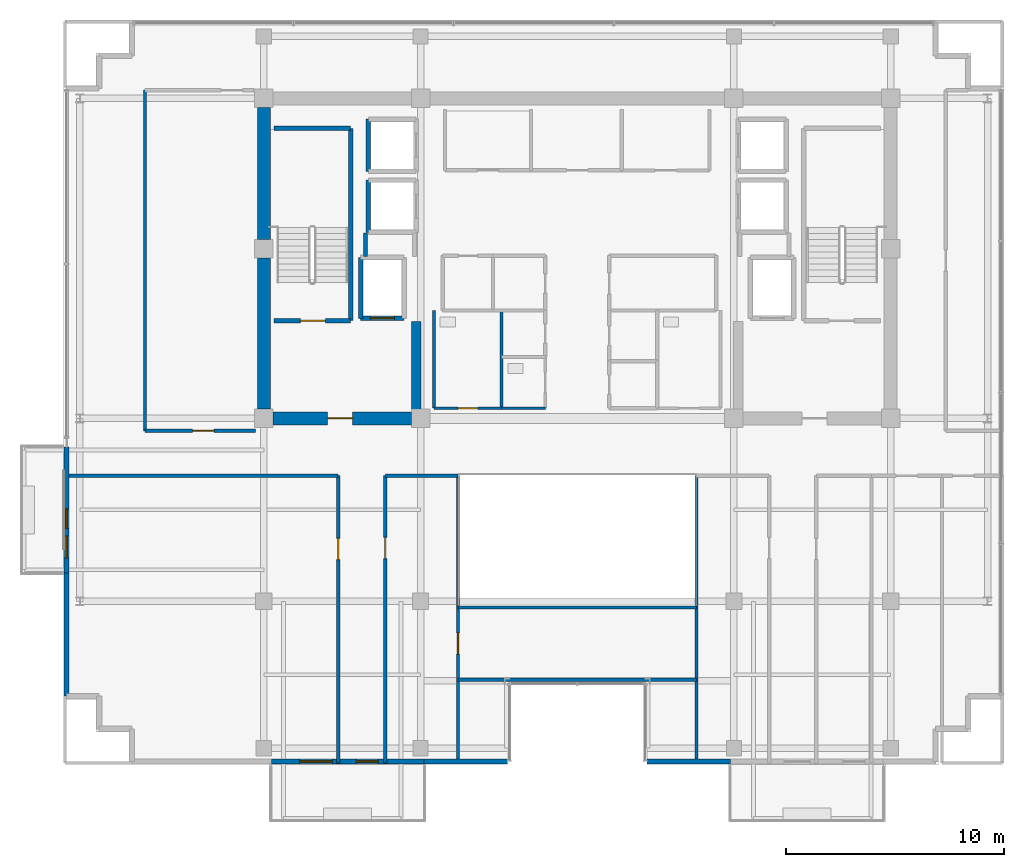
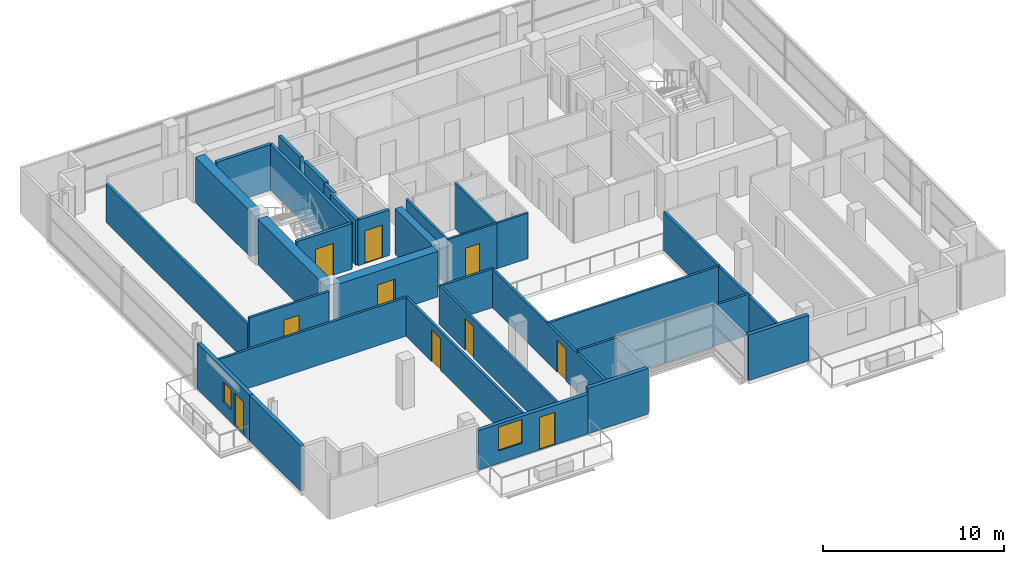
# One storey, part 15 of 22: 31 walls, 10 doors, 2 windows, 12 openings.
"""IFC4 building model written with IfcOpenShell, lengths in metres."""

from ifc_helpers import new_model, si_unit, direction, frame, frame_2d, origin, place, context, subcontext, project, spatial, rectangle, extrude, source, transform, mapped, material, layer, layer_set, type_object, element, fill, save


model = new_model("IFC4")

# Units and contexts
model_context = context("Model", 3, precision=1e-05, world=origin(), true_north=direction((0.0, 1.0)))
body_context = subcontext(model_context, "Body", "Model", "MODEL_VIEW")
ifc_project = project(units=[si_unit("LENGTHUNIT", "METRE"), si_unit("AREAUNIT", "SQUARE_METRE"), si_unit("VOLUMEUNIT", "CUBIC_METRE"), si_unit("PLANEANGLEUNIT", "RADIAN"), si_unit("MASSUNIT", "GRAM", prefix="KILO")], contexts=[model_context])

# Site, building, storey
site_placement = place(None, origin())
site = spatial("IfcSite", under=ifc_project, at=site_placement, CompositionType="ELEMENT")
building_placement = place(site_placement, origin())
building = spatial("IfcBuilding", under=site, at=building_placement, Name="Zarnakvel Exchange Tower", CompositionType="ELEMENT")
storey_placement = place(building_placement, frame((0.0, 0.0, 222.10009765625)))
storey = spatial("IfcBuildingStorey", under=building, at=storey_placement, Name="L62", CompositionType="ELEMENT", Elevation=222.10009765625)

# Walls
ifc_material_1 = material(Name="Concrete C50/60", Category="concrete")
ifc_layer_1 = layer(ifc_material_1, 0.60009765625)
ifc_layer_set_1 = layer_set([ifc_layer_1], Name="Concrete C50/60")
wall_type_1 = type_object("IfcWallType", Name="CW-C5", PredefinedType="SHEAR", material=ifc_layer_set_1)
wall_1_placement = place(storey_placement, frame((-14.39990234375, -0.77490234375, 0.0), z_axis=(0.0, 0.0, 1.0), x_axis=(0.0, 1.0, 0.0)))
element("IfcWall", 1, at=wall_1_placement, inside=storey, type_object=wall_type_1, Name="L62 Rear Core Shear Wall W1 (CW-C5)", PredefinedType="SHEAR", context=body_context, shape_type="SweptSolid", body=[
    extrude(rectangle(XDim=6.949951171875, YDim=0.60009765625, at=frame_2d((3.47509765625, 0.0))), origin(), (0.0, 0.0, 1.0), 3.074951171875),
])
wall_2_placement = place(storey_placement, frame((-14.39990234375, 7.02490234375, 0.0), z_axis=(0.0, 0.0, 1.0), x_axis=(0.0, 1.0, 0.0)))
element("IfcWall", 2, at=wall_2_placement, inside=storey, type_object=wall_type_1, Name="L62 Rear Core Shear Wall W2 (CW-C5)", PredefinedType="SHEAR", context=body_context, shape_type="SweptSolid", body=[
    extrude(rectangle(XDim=6.050048828125, YDim=0.60009765625, at=frame_2d((3.02490234375, 0.0))), origin(), (0.0, 0.0, 1.0), 3.074951171875),
])

# Wall, opening, door
wall_3_placement = place(storey_placement, frame((-7.625, -1.199951171875, 0.0), z_axis=(0.0, 0.0, 1.0), x_axis=(-1.0, 0.0, 0.0)))
wall_3 = element("IfcWall", 3, at=wall_3_placement, inside=storey, type_object=wall_type_1, Name="L62 Rear Core Shear Wall SW (CW-C5)", PredefinedType="SHEAR", context=body_context, shape_type="SweptSolid", body=[
    extrude(rectangle(XDim=6.35009765625, YDim=0.60009765625, at=frame_2d((3.175048828125, 0.0))), origin(), (0.0, 0.0, 1.0), 3.074951171875),
])
opening_1_placement = place(wall_3_placement, frame((2.699951171875, 0.0, 0.0)))
opening_1 = element("IfcOpeningElement", 4, at=opening_1_placement, cuts=wall_3, Name="Opening D-L62-03", PredefinedType="OPENING", context=body_context, shape_type="SweptSolid", body=[
    extrude(rectangle(XDim=1.14990234375, YDim=2.14990234375, at=frame_2d((0.574951171875, 1.074951171875))), frame((0.0, 0.31005859375, 0.0), z_axis=(0.0, -1.0, 0.0), x_axis=(1.0, 0.0, 0.0)), (0.0, 0.0, 1.0), 0.6201171875),
])
ifc_material_2 = material(Name="Painted Galvanised Steel S355", Category="steel")
door_type_1 = type_object("IfcDoorType", Name="DT-04", OperationType="NOTDEFINED", PredefinedType="DOOR", material=ifc_material_2)
shared_shape_1 = source(origin(), body_context, "Body", "SweptSolid", [
    extrude(rectangle(XDim=1.14990234375, YDim=2.14990234375, at=frame_2d((0.574951171875, 1.074951171875))), frame((0.0, 0.02490234375, 0.0), z_axis=(0.0, -1.0, 0.0), x_axis=(1.0, 0.0, 0.0)), (0.0, 0.0, 1.0), 0.050048828125),
])
door_1_placement = place(opening_1_placement, origin())
door_1 = element("IfcDoor", 5, at=door_1_placement, inside=storey, type_object=door_type_1, Name="L62 Firefighting Lobby West Door D-L62-03", OperationType="SINGLE_SWING_LEFT", OverallHeight=2.14990234375, OverallWidth=1.14990234375, PredefinedType="DOOR", context=body_context, shape_type="MappedRepresentation", body=[
    mapped(shared_shape_1, transform((0.0, 0.0, 0.0), x_axis=(1.0, 0.0, 0.0), y_axis=(0.0, 1.0, 0.0), z_axis=(0.0, 0.0, 1.0), scale=1.0)),
])
fill(opening_1, door_1)

# Wall
ifc_layer_2 = layer(ifc_material_1, 0.449951171875)
ifc_layer_set_2 = layer_set([ifc_layer_2], Name="Concrete C50/60")
wall_type_2 = type_object("IfcWallType", Name="CW-C6", PredefinedType="SHEAR", material=ifc_layer_set_2)
wall_4_placement = place(storey_placement, frame((-7.39990234375, -0.89990234375, 0.0), z_axis=(0.0, 0.0, 1.0), x_axis=(0.0, 1.0, 0.0)))
element("IfcWall", 6, at=wall_4_placement, inside=storey, type_object=wall_type_2, Name="L62 Rear Core Shear Wall IW (CW-C6)", PredefinedType="SHEAR", context=body_context, shape_type="SweptSolid", body=[
    extrude(rectangle(XDim=4.14990234375, YDim=0.449951171875, at=frame_2d((2.074951171875, 0.0))), origin(), (0.0, 0.0, 1.0), 3.074951171875),
])

# Wall, openings, door, window
ifc_material_3 = material(Name="Precast concrete C40/50", Category="concrete")
ifc_layer_3 = layer(ifc_material_3, 0.239990234375)
ifc_layer_set_3 = layer_set([ifc_layer_3], Name="Precast concrete C40/50")
wall_type_3 = type_object("IfcWallType", Name="EW-02", PredefinedType="SOLIDWALL", material=ifc_layer_set_3)
wall_5_placement = place(storey_placement, frame((-7.050048828125, -16.9599609375, 0.0), z_axis=(0.0, 0.0, 1.0), x_axis=(-1.0, 0.0, 0.0)))
wall_5 = element("IfcWall", 7, at=wall_5_placement, inside=storey, type_object=wall_type_3, Name="L62 Exterior Precast Spandrel Wall EW-BAL-L62-SW (EW-02)", PredefinedType="SOLIDWALL", context=body_context, shape_type="SweptSolid", body=[
    extrude(rectangle(XDim=7.0, YDim=0.239990234375, at=frame_2d((3.5, 0.0))), origin(), (0.0, 0.0, 1.0), 2.664794921875),
])
opening_2_placement = place(wall_5_placement, frame((2.10009765625, 0.0, 0.0)))
opening_2 = element("IfcOpeningElement", 8, at=opening_2_placement, cuts=wall_5, Name="Opening BD-L62-01", PredefinedType="OPENING", context=body_context, shape_type="SweptSolid", body=[
    extrude(rectangle(XDim=1.0, YDim=2.199951171875, at=frame_2d((0.5, 1.10009765625))), frame((0.0, 0.1298828125, 0.0), z_axis=(0.0, -1.0, 0.0), x_axis=(1.0, 0.0, 0.0)), (0.0, 0.0, 1.0), 0.260009765625),
])
opening_3_placement = place(wall_5_placement, frame((4.199951171875, 0.0, 0.85009765625)))
opening_3 = element("IfcOpeningElement", 9, at=opening_3_placement, cuts=wall_5, Name="Opening WN-03", PredefinedType="OPENING", context=body_context, shape_type="SweptSolid", body=[
    extrude(rectangle(XDim=1.5, YDim=1.60009765625, at=frame_2d((0.75, 0.800048828125))), frame((0.0, 0.1298828125, 0.0), z_axis=(0.0, -1.0, 0.0), x_axis=(1.0, 0.0, 0.0)), (0.0, 0.0, 1.0), 0.260009765625),
])
ifc_material_4 = material(Name="Architectural Bronze Anodised Aluminium", Category="aluminium")
door_type_2 = type_object("IfcDoorType", Name="DT-09", OperationType="NOTDEFINED", PredefinedType="DOOR", material=ifc_material_4)
shared_shape_2 = source(origin(), body_context, "Body", "SweptSolid", [
    extrude(rectangle(XDim=1.0, YDim=2.199951171875, at=frame_2d((0.5, 1.10009765625))), frame((0.0, 0.02490234375, 0.0), z_axis=(0.0, -1.0, 0.0), x_axis=(1.0, 0.0, 0.0)), (0.0, 0.0, 1.0), 0.050048828125),
])
door_2_placement = place(opening_2_placement, origin())
door_2 = element("IfcDoor", 10, at=door_2_placement, inside=storey, type_object=door_type_2, Name="L62 Planted Loggia Balcony Door BD-L62-01", OperationType="SINGLE_SWING_RIGHT", OverallHeight=2.199951171875, OverallWidth=1.0, PredefinedType="DOOR", context=body_context, shape_type="MappedRepresentation", body=[
    mapped(shared_shape_2, transform((0.0, 0.0, 0.0), x_axis=(1.0, 0.0, 0.0), y_axis=(0.0, 1.0, 0.0), z_axis=(0.0, 0.0, 1.0), scale=1.0)),
])
fill(opening_2, door_2)
ifc_material_5 = material(Name="Double Low-E Laminated Vision Glass", Category="glass")
window_type_1 = type_object("IfcWindowType", Name="WN-03", PartitioningType="SINGLE_PANEL", PredefinedType="WINDOW", material=ifc_material_5)
shared_shape_3 = source(origin(), body_context, "Body", "SweptSolid", [
    extrude(rectangle(XDim=1.5, YDim=1.60009765625, at=frame_2d((0.75, 0.800048828125))), frame((0.0, 0.030029296875, 0.0), z_axis=(0.0, -1.0, 0.0), x_axis=(1.0, 0.0, 0.0)), (0.0, 0.0, 1.0), 0.06005859375),
])
window_1_placement = place(opening_3_placement, origin())
window_1 = element("IfcWindow", 11, at=window_1_placement, inside=storey, type_object=window_type_1, Name="L62 Loggia Daylight Window (WN-03)", OverallHeight=1.60009765625, OverallWidth=1.5, PartitioningType="SINGLE_PANEL", PredefinedType="WINDOW", context=body_context, shape_type="MappedRepresentation", body=[
    mapped(shared_shape_3, transform((0.0, 0.0, 0.0), x_axis=(1.0, 0.0, 0.0), y_axis=(0.0, 1.0, 0.0), z_axis=(0.0, 0.0, 1.0), scale=1.0)),
])
fill(opening_3, window_1)

wall_6_placement = place(storey_placement, frame((-23.4599609375, -8.300048828125, 0.0), z_axis=(0.0, 0.0, 1.0), x_axis=(0.0, 1.0, 0.0)))
wall_6 = element("IfcWall", 12, at=wall_6_placement, inside=storey, type_object=wall_type_3, Name="L62 Exterior Precast Spandrel Wall EW-BAL-L62-W (EW-02)", PredefinedType="SOLIDWALL", context=body_context, shape_type="SweptSolid", body=[
    extrude(rectangle(XDim=5.800048828125, YDim=0.239990234375, at=frame_2d((2.89990234375, 0.0))), origin(), (0.0, 0.0, 1.0), 3.074951171875),
])
opening_4_placement = place(wall_6_placement, frame((0.696044921875, 0.0, 0.0)))
opening_4 = element("IfcOpeningElement", 13, at=opening_4_placement, cuts=wall_6, Name="Opening BD-L62-03", PredefinedType="OPENING", context=body_context, shape_type="SweptSolid", body=[
    extrude(rectangle(XDim=1.0, YDim=2.199951171875, at=frame_2d((0.5, 1.10009765625))), frame((0.0, 0.1298828125, 0.0), z_axis=(0.0, -1.0, 0.0), x_axis=(1.0, 0.0, 0.0)), (0.0, 0.0, 1.0), 0.260009765625),
])
opening_5_placement = place(wall_6_placement, frame((2.0458984375, 0.0, 0.85009765625)))
opening_5 = element("IfcOpeningElement", 14, at=opening_5_placement, cuts=wall_6, Name="Opening WN-06", PredefinedType="OPENING", context=body_context, shape_type="SweptSolid", body=[
    extrude(rectangle(XDim=0.89990234375, YDim=1.35009765625, at=frame_2d((0.449951171875, 0.675048828125))), frame((0.0, 0.1298828125, 0.0), z_axis=(0.0, -1.0, 0.0), x_axis=(1.0, 0.0, 0.0)), (0.0, 0.0, 1.0), 0.260009765625),
])
door_3_placement = place(opening_4_placement, origin())
door_3 = element("IfcDoor", 15, at=door_3_placement, inside=storey, type_object=door_type_2, Name="L62 Planted Loggia Balcony Door BD-L62-03", OperationType="SINGLE_SWING_RIGHT", OverallHeight=2.199951171875, OverallWidth=1.0, PredefinedType="DOOR", context=body_context, shape_type="MappedRepresentation", body=[
    mapped(shared_shape_2, transform((0.0, 0.0, 0.0), x_axis=(1.0, 0.0, 0.0), y_axis=(0.0, 1.0, 0.0), z_axis=(0.0, 0.0, 1.0), scale=1.0)),
])
fill(opening_4, door_3)
window_type_2 = type_object("IfcWindowType", Name="WN-06", PartitioningType="SINGLE_PANEL", PredefinedType="WINDOW", material=ifc_material_5)
shared_shape_4 = source(origin(), body_context, "Body", "SweptSolid", [
    extrude(rectangle(XDim=0.89990234375, YDim=1.35009765625, at=frame_2d((0.449951171875, 0.675048828125))), frame((0.0, 0.030029296875, 0.0), z_axis=(0.0, -1.0, 0.0), x_axis=(1.0, 0.0, 0.0)), (0.0, 0.0, 1.0), 0.06005859375),
])
window_2_placement = place(opening_5_placement, origin())
window_2 = element("IfcWindow", 16, at=window_2_placement, inside=storey, type_object=window_type_2, Name="L62 Loggia Daylight Window (WN-06)", OverallHeight=1.35009765625, OverallWidth=0.89990234375, PartitioningType="SINGLE_PANEL", PredefinedType="WINDOW", context=body_context, shape_type="MappedRepresentation", body=[
    mapped(shared_shape_4, transform((0.0, 0.0, 0.0), x_axis=(1.0, 0.0, 0.0), y_axis=(0.0, 1.0, 0.0), z_axis=(0.0, 0.0, 1.0), scale=1.0)),
])
fill(opening_5, window_2)

# Walls
wall_7_placement = place(storey_placement, frame((-23.4599609375, -8.300048828125, 0.0), z_axis=(0.0, 0.0, 1.0), x_axis=(0.0, -1.0, 0.0)))
element("IfcWall", 17, at=wall_7_placement, inside=storey, type_object=wall_type_3, Name="L62 Exterior Precast Spandrel Wall EWC-L62-01 (EW-02)", PredefinedType="SOLIDWALL", context=body_context, shape_type="SweptSolid", body=[
    extrude(rectangle(XDim=5.659912109375, YDim=0.239990234375, at=frame_2d((2.830078125, 0.0))), origin(), (0.0, 0.0, 1.0), 3.074951171875),
])
for number, where, z_axis, x_axis, name in (
    (18, (3.199951171875, -16.9599609375, 0.0), (0.0, 0.0, 1.0), (1.0, 0.0, 0.0), "L62 Exterior Precast Spandrel Wall EWC-L62-16 (EW-02)"),
    (19, (-7.050048828125, -16.9599609375, 0.0), (0.0, 0.0, 1.0), (1.0, 0.0, 0.0), "L62 Exterior Precast Spandrel Wall EWC-L62-21 (EW-02)"),
):
    element("IfcWall", number, at=place(storey_placement, frame(where, z_axis=z_axis, x_axis=x_axis)), inside=storey, type_object=wall_type_3, Name=name, PredefinedType="SOLIDWALL", context=body_context, shape_type="SweptSolid", body=[
        extrude(rectangle(XDim=3.85009765625, YDim=0.239990234375, at=frame_2d((1.925048828125, 0.0))), origin(), (0.0, 0.0, 1.0), 3.074951171875),
    ])
ifc_material_6 = material(Name="Fire-Rated Gypsum Stud Partition", Category="gypsum")
ifc_layer_4 = layer(ifc_material_6, 0.14990234375)
ifc_layer_set_4 = layer_set([ifc_layer_4], Name="Fire-Rated Gypsum Stud Partition")
wall_type_4 = type_object("IfcWallType", Name="PT-01", PredefinedType="PARTITIONING", material=ifc_layer_set_4)
wall_8_placement = place(storey_placement, frame((-23.530029296875, -3.830078125, 0.0), z_axis=(0.0, 0.0, 1.0), x_axis=(1.0, 0.0, 0.0)))
element("IfcWall", 20, at=wall_8_placement, inside=storey, type_object=wall_type_4, Name="L62 Partition Wall PWALL-L62-045 (PT-01)", PredefinedType="PARTITIONING", context=body_context, shape_type="SweptSolid", body=[
    extrude(rectangle(XDim=12.550048828125, YDim=0.14990234375, at=frame_2d((6.27490234375, 0.0))), origin(), (0.0, 0.0, 1.0), 2.614990234375),
])

# Wall, opening, door
wall_9_placement = place(storey_placement, frame((-10.97998046875, -3.830078125, 0.0), z_axis=(0.0, 0.0, 1.0), x_axis=(0.0, -1.0, 0.0)))
wall_9 = element("IfcWall", 21, at=wall_9_placement, inside=storey, type_object=wall_type_4, Name="L62 Partition Wall PWALL-L62-047 (PT-01)", PredefinedType="PARTITIONING", context=body_context, shape_type="SweptSolid", body=[
    extrude(rectangle(XDim=13.199951171875, YDim=0.14990234375, at=frame_2d((6.60009765625, 0.0))), origin(), (0.0, 0.0, 1.0), 2.614990234375),
])
opening_6_placement = place(wall_9_placement, frame((2.8798828125, 0.0, 0.0)))
opening_6 = element("IfcOpeningElement", 22, at=opening_6_placement, cuts=wall_9, Name="Opening D-L62-17", PredefinedType="OPENING", context=body_context, shape_type="SweptSolid", body=[
    extrude(rectangle(XDim=0.97998046875, YDim=2.14990234375, at=frame_2d((0.489990234375, 1.074951171875))), frame((0.0, 0.0849609375, 0.0), z_axis=(0.0, -1.0, 0.0), x_axis=(1.0, 0.0, 0.0)), (0.0, 0.0, 1.0), 0.169921875),
])
ifc_material_7 = material(Name="Timber Acoustic Veneer", Category="wood")
door_type_3 = type_object("IfcDoorType", Name="DT-05", OperationType="NOTDEFINED", PredefinedType="DOOR", material=ifc_material_7)
shared_shape_5 = source(origin(), body_context, "Body", "SweptSolid", [
    extrude(rectangle(XDim=0.97998046875, YDim=2.14990234375, at=frame_2d((0.489990234375, 1.074951171875))), frame((0.0, 0.02490234375, 0.0), z_axis=(0.0, -1.0, 0.0), x_axis=(1.0, 0.0, 0.0)), (0.0, 0.0, 1.0), 0.050048828125),
])
door_4_placement = place(opening_6_placement, origin())
door_4 = element("IfcDoor", 23, at=door_4_placement, inside=storey, type_object=door_type_3, Name="L62 Derivatives Trading Hall Door D-L62-17", OperationType="SINGLE_SWING_LEFT", OverallHeight=2.14990234375, OverallWidth=0.97998046875, PredefinedType="DOOR", context=body_context, shape_type="MappedRepresentation", body=[
    mapped(shared_shape_5, transform((0.0, 0.0, 0.0), x_axis=(1.0, 0.0, 0.0), y_axis=(0.0, 1.0, 0.0), z_axis=(0.0, 0.0, 1.0), scale=1.0)),
])
fill(opening_6, door_4)

# Wall
wall_10_placement = place(storey_placement, frame((-8.820068359375, -3.830078125, 0.0), z_axis=(0.0, 0.0, 1.0), x_axis=(1.0, 0.0, 0.0)))
element("IfcWall", 24, at=wall_10_placement, inside=storey, type_object=wall_type_4, Name="L62 Partition Wall PWALL-L62-059 (PT-01)", PredefinedType="PARTITIONING", context=body_context, shape_type="SweptSolid", body=[
    extrude(rectangle(XDim=3.340087890625, YDim=0.14990234375, at=frame_2d((1.669921875, 0.0))), origin(), (0.0, 0.0, 1.0), 2.614990234375),
])

# Wall, opening, door
wall_11_placement = place(storey_placement, frame((-8.820068359375, -17.030029296875, 0.0), z_axis=(0.0, 0.0, 1.0), x_axis=(0.0, 1.0, 0.0)))
wall_11 = element("IfcWall", 25, at=wall_11_placement, inside=storey, type_object=wall_type_4, Name="L62 Partition Wall PWALL-L62-060 (PT-01)", PredefinedType="PARTITIONING", context=body_context, shape_type="SweptSolid", body=[
    extrude(rectangle(XDim=13.199951171875, YDim=0.14990234375, at=frame_2d((6.60009765625, 0.0))), origin(), (0.0, 0.0, 1.0), 2.614990234375),
])
opening_7_placement = place(wall_11_placement, frame((9.385009765625, 0.0, 0.0)))
opening_7 = element("IfcOpeningElement", 26, at=opening_7_placement, cuts=wall_11, Name="Opening D-L62-21", PredefinedType="OPENING", context=body_context, shape_type="SweptSolid", body=[
    extrude(rectangle(XDim=0.97998046875, YDim=2.14990234375, at=frame_2d((0.489990234375, 1.074951171875))), frame((0.0, 0.0849609375, 0.0), z_axis=(0.0, -1.0, 0.0), x_axis=(1.0, 0.0, 0.0)), (0.0, 0.0, 1.0), 0.169921875),
])
door_5_placement = place(opening_7_placement, origin())
door_5 = element("IfcDoor", 27, at=door_5_placement, inside=storey, type_object=door_type_3, Name="L62 Staff Pantry Door D-L62-21", OperationType="SINGLE_SWING_LEFT", OverallHeight=2.14990234375, OverallWidth=0.97998046875, PredefinedType="DOOR", context=body_context, shape_type="MappedRepresentation", body=[
    mapped(shared_shape_5, transform((0.0, 0.0, 0.0), x_axis=(1.0, 0.0, 0.0), y_axis=(0.0, 1.0, 0.0), z_axis=(0.0, 0.0, 1.0), scale=1.0)),
])
fill(opening_7, door_5)

wall_12_placement = place(storey_placement, frame((-5.47998046875, -3.830078125, 0.0), z_axis=(0.0, 0.0, 1.0), x_axis=(0.0, -1.0, 0.0)))
wall_12 = element("IfcWall", 28, at=wall_12_placement, inside=storey, type_object=wall_type_4, Name="L62 Partition Wall PWALL-L62-061 (PT-01)", PredefinedType="PARTITIONING", context=body_context, shape_type="SweptSolid", body=[
    extrude(rectangle(XDim=13.199951171875, YDim=0.14990234375, at=frame_2d((6.60009765625, 0.0))), origin(), (0.0, 0.0, 1.0), 2.614990234375),
])
opening_8_placement = place(wall_12_placement, frame((7.219970703125, 0.0, 0.0)))
opening_8 = element("IfcOpeningElement", 29, at=opening_8_placement, cuts=wall_12, Name="Opening D-L62-23", PredefinedType="OPENING", context=body_context, shape_type="SweptSolid", body=[
    extrude(rectangle(XDim=0.97998046875, YDim=2.14990234375, at=frame_2d((0.489990234375, 1.074951171875))), frame((0.0, 0.0849609375, 0.0), z_axis=(0.0, -1.0, 0.0), x_axis=(1.0, 0.0, 0.0)), (0.0, 0.0, 1.0), 0.169921875),
])
door_6_placement = place(opening_8_placement, origin())
door_6 = element("IfcDoor", 30, at=door_6_placement, inside=storey, type_object=door_type_3, Name="L62 Client Lounge Door D-L62-23", OperationType="SINGLE_SWING_LEFT", OverallHeight=2.14990234375, OverallWidth=0.97998046875, PredefinedType="DOOR", context=body_context, shape_type="MappedRepresentation", body=[
    mapped(shared_shape_5, transform((0.0, 0.0, 0.0), x_axis=(1.0, 0.0, 0.0), y_axis=(0.0, 1.0, 0.0), z_axis=(0.0, 0.0, 1.0), scale=1.0)),
])
fill(opening_8, door_6)

# Walls
wall_13_placement = place(storey_placement, frame((5.47998046875, -17.030029296875, 0.0), z_axis=(0.0, 0.0, 1.0), x_axis=(0.0, 1.0, 0.0)))
element("IfcWall", 31, at=wall_13_placement, inside=storey, type_object=wall_type_4, Name="L62 Partition Wall PWALL-L62-064 (PT-01)", PredefinedType="PARTITIONING", context=body_context, shape_type="SweptSolid", body=[
    extrude(rectangle(XDim=13.199951171875, YDim=0.14990234375, at=frame_2d((6.60009765625, 0.0))), origin(), (0.0, 0.0, 1.0), 2.614990234375),
])
wall_14_placement = place(storey_placement, frame((5.47998046875, -13.199951171875, 0.0), z_axis=(0.0, 0.0, 1.0), x_axis=(-1.0, 0.0, 0.0)))
element("IfcWall", 32, at=wall_14_placement, inside=storey, type_object=wall_type_4, Name="L62 Partition Wall PWALL-L62-066 (PT-01)", PredefinedType="PARTITIONING", context=body_context, shape_type="SweptSolid", body=[
    extrude(rectangle(XDim=10.9599609375, YDim=0.14990234375, at=frame_2d((5.47998046875, 0.0))), origin(), (0.0, 0.0, 1.0), 2.764892578125),
])
wall_15_placement = place(storey_placement, frame((-5.47998046875, -9.8798828125, 0.0), z_axis=(0.0, 0.0, 1.0), x_axis=(1.0, 0.0, 0.0)))
element("IfcWall", 33, at=wall_15_placement, inside=storey, type_object=wall_type_4, Name="L62 Partition Wall PWALL-L62-067 (PT-01)", PredefinedType="PARTITIONING", context=body_context, shape_type="SweptSolid", body=[
    extrude(rectangle(XDim=10.9599609375, YDim=0.14990234375, at=frame_2d((5.47998046875, 0.0))), origin(), (0.0, 0.0, 1.0), 2.614990234375),
])

# Wall, opening, door
wall_16_placement = place(storey_placement, frame((-14.77001953125, -1.77001953125, 0.0), z_axis=(0.0, 0.0, 1.0), x_axis=(-1.0, 0.0, 0.0)))
wall_16 = element("IfcWall", 34, at=wall_16_placement, inside=storey, type_object=wall_type_4, Name="L62 Partition Wall PWALL-L62-068 (PT-01)", PredefinedType="PARTITIONING", context=body_context, shape_type="SweptSolid", body=[
    extrude(rectangle(XDim=5.083251953125, YDim=0.14990234375, at=frame_2d((2.54150390625, 0.0))), origin(), (0.0, 0.0, 1.0), 3.074951171875),
])
opening_9_placement = place(wall_16_placement, frame((1.9150390625, 0.0, 0.0)))
opening_9 = element("IfcOpeningElement", 35, at=opening_9_placement, cuts=wall_16, Name="Opening D-L62-24", PredefinedType="OPENING", context=body_context, shape_type="SweptSolid", body=[
    extrude(rectangle(XDim=0.97998046875, YDim=2.14990234375, at=frame_2d((0.489990234375, 1.074951171875))), frame((0.0, 0.0849609375, 0.0), z_axis=(0.0, -1.0, 0.0), x_axis=(1.0, 0.0, 0.0)), (0.0, 0.0, 1.0), 0.169921875),
])
door_7_placement = place(opening_9_placement, origin())
door_7 = element("IfcDoor", 36, at=door_7_placement, inside=storey, type_object=door_type_3, Name="L62 Staff Pantry Door D-L62-24", OperationType="SINGLE_SWING_RIGHT", OverallHeight=2.14990234375, OverallWidth=0.97998046875, PredefinedType="DOOR", context=body_context, shape_type="MappedRepresentation", body=[
    mapped(shared_shape_5, transform((0.0, 0.0, 0.0), x_axis=(1.0, 0.0, 0.0), y_axis=(0.0, 1.0, 0.0), z_axis=(0.0, 0.0, 1.0), scale=1.0)),
])
fill(opening_9, door_7)

# Walls
wall_17_placement = place(storey_placement, frame((-19.853271484375, -1.77001953125, 0.0), z_axis=(0.0, 0.0, 1.0), x_axis=(0.0, 1.0, 0.0)))
element("IfcWall", 37, at=wall_17_placement, inside=storey, type_object=wall_type_4, Name="L62 Partition Wall PWALL-L62-070 (PT-01)", PredefinedType="PARTITIONING", context=body_context, shape_type="SweptSolid", body=[
    extrude(rectangle(XDim=15.64990234375, YDim=0.14990234375, at=frame_2d((7.824951171875, 0.0))), origin(), (0.0, 0.0, 1.0), 2.614990234375),
])
ifc_layer_5 = layer(ifc_material_6, 0.179931640625)
ifc_layer_set_5 = layer_set([ifc_layer_5], Name="Fire-Rated Gypsum Stud Partition")
wall_type_5 = type_object("IfcWallType", Name="PT-02", PredefinedType="PARTITIONING", material=ifc_layer_set_5)
wall_18_placement = place(storey_placement, frame((-9.72998046875, 6.239990234375, 0.0), z_axis=(0.0, 0.0, 1.0), x_axis=(0.0, 1.0, 0.0)))
element("IfcWall", 38, at=wall_18_placement, inside=storey, type_object=wall_type_5, Name="L62 Partition Wall PWALL-L62-007 (PT-02)", PredefinedType="PARTITIONING", context=body_context, shape_type="SweptSolid", body=[
    extrude(rectangle(XDim=1.090087890625, YDim=0.179931640625, at=frame_2d((0.544921875, 0.0))), origin(), (0.0, 0.0, 1.0), 3.074951171875),
])

# Wall, opening, door
ifc_material_8 = material(Name="Moisture-Resistant Tile-Faced Partition", Category="gypsum")
ifc_layer_6 = layer(ifc_material_8, 0.135009765625)
ifc_layer_set_6 = layer_set([ifc_layer_6], Name="Moisture-Resistant Tile-Faced Partition")
wall_type_6 = type_object("IfcWallType", Name="PT-03", PredefinedType="PARTITIONING", material=ifc_layer_set_6)
wall_19_placement = place(storey_placement, frame((-3.469970703125, -0.72998046875, 0.0), z_axis=(0.0, 0.0, 1.0), x_axis=(-1.0, 0.0, 0.0)))
wall_19 = element("IfcWall", 39, at=wall_19_placement, inside=storey, type_object=wall_type_6, Name="L62 Partition Wall PWALL-L62-029 (PT-03)", PredefinedType="PARTITIONING", context=body_context, shape_type="SweptSolid", body=[
    extrude(rectangle(XDim=3.110107421875, YDim=0.135009765625, at=frame_2d((1.55517578125, 0.0))), origin(), (0.0, 0.0, 1.0), 3.074951171875),
])
opening_10_placement = place(wall_19_placement, frame((1.090087890625, 0.0, 0.0)))
opening_10 = element("IfcOpeningElement", 40, at=opening_10_placement, cuts=wall_19, Name="Opening D-L62-11", PredefinedType="OPENING", context=body_context, shape_type="SweptSolid", body=[
    extrude(rectangle(XDim=0.919921875, YDim=2.10009765625, at=frame_2d((0.4599609375, 1.050048828125))), frame((0.0, 0.077392578125, 0.0), z_axis=(0.0, -1.0, 0.0), x_axis=(1.0, 0.0, 0.0)), (0.0, 0.0, 1.0), 0.155029296875),
])
ifc_material_9 = material(Name="Moisture-Resistant Laminate Timber", Category="wood")
door_type_4 = type_object("IfcDoorType", Name="DT-07", OperationType="NOTDEFINED", PredefinedType="DOOR", material=ifc_material_9)
shared_shape_6 = source(origin(), body_context, "Body", "SweptSolid", [
    extrude(rectangle(XDim=0.919921875, YDim=2.10009765625, at=frame_2d((0.4599609375, 1.050048828125))), frame((0.0, 0.02490234375, 0.0), z_axis=(0.0, -1.0, 0.0), x_axis=(1.0, 0.0, 0.0)), (0.0, 0.0, 1.0), 0.050048828125),
])
door_8_placement = place(opening_10_placement, origin())
door_8 = element("IfcDoor", 41, at=door_8_placement, inside=storey, type_object=door_type_4, Name="L62 Male Toilet Door D-L62-11", OperationType="SINGLE_SWING_LEFT", OverallHeight=2.10009765625, OverallWidth=0.919921875, PredefinedType="DOOR", context=body_context, shape_type="MappedRepresentation", body=[
    mapped(shared_shape_6, transform((0.0, 0.0, 0.0), x_axis=(1.0, 0.0, 0.0), y_axis=(0.0, 1.0, 0.0), z_axis=(0.0, 0.0, 1.0), scale=1.0)),
])
fill(opening_10, door_8)

# Walls
for number, where, z_axis, x_axis, name in (
    (42, (-6.580078125, -0.72998046875, 0.0), (0.0, 0.0, 1.0), (0.0, 1.0, 0.0), "L62 Partition Wall PWALL-L62-030 (PT-03)"),
    (43, (-3.469970703125, 3.760009765625, 0.0), (0.0, 0.0, 1.0), (0.0, -1.0, 0.0), "L62 Partition Wall PWALL-L62-031 (PT-03)"),
):
    element("IfcWall", number, at=place(storey_placement, frame(where, z_axis=z_axis, x_axis=x_axis)), inside=storey, type_object=wall_type_6, Name=name, PredefinedType="PARTITIONING", context=body_context, shape_type="SweptSolid", body=[
        extrude(rectangle(XDim=4.489990234375, YDim=0.135009765625, at=frame_2d((2.2451171875, 0.0))), origin(), (0.0, 0.0, 1.0), 3.074951171875),
    ])
wall_20_placement = place(storey_placement, frame((-1.469970703125, -0.72998046875, 0.0), z_axis=(0.0, 0.0, 1.0), x_axis=(-1.0, 0.0, 0.0)))
element("IfcWall", 44, at=wall_20_placement, inside=storey, type_object=wall_type_6, Name="L62 Partition Wall PWALL-L62-032 (PT-03)", PredefinedType="PARTITIONING", context=body_context, shape_type="SweptSolid", body=[
    extrude(rectangle(XDim=2.0, YDim=0.135009765625, at=frame_2d((1.0, 0.0))), origin(), (0.0, 0.0, 1.0), 3.074951171875),
])

# Wall, opening, door
ifc_material_10 = material(Name="Concrete C40/50", Category="concrete")
ifc_layer_7 = layer(ifc_material_10, 0.199951171875)
ifc_layer_set_7 = layer_set([ifc_layer_7], Name="Concrete C40/50")
wall_type_7 = type_object("IfcWallType", Name="SW-01", PredefinedType="SOLIDWALL", material=ifc_layer_set_7)
wall_21_placement = place(storey_placement, frame((-7.949951171875, 3.39990234375, 0.0), z_axis=(0.0, 0.0, 1.0), x_axis=(-1.0, 0.0, 0.0)))
wall_21 = element("IfcWall", 45, at=wall_21_placement, inside=storey, type_object=wall_type_7, Name="L62 FL-01 Hoistway Wall South", PredefinedType="SOLIDWALL", context=body_context, shape_type="SweptSolid", body=[
    extrude(rectangle(XDim=2.0, YDim=0.199951171875, at=frame_2d((1.0, 0.0))), origin(), (0.0, 0.0, 1.0), 3.074951171875),
])
opening_11_placement = place(wall_21_placement, frame((0.449951171875, 0.0, 0.0)))
opening_11 = element("IfcOpeningElement", 46, at=opening_11_placement, cuts=wall_21, Name="Opening LD-FL-01-L62", PredefinedType="OPENING", context=body_context, shape_type="SweptSolid", body=[
    extrude(rectangle(XDim=1.10009765625, YDim=2.199951171875, at=frame_2d((0.550048828125, 1.10009765625))), frame((0.0, 0.10986328125, 0.0), z_axis=(0.0, -1.0, 0.0), x_axis=(1.0, 0.0, 0.0)), (0.0, 0.0, 1.0), 0.219970703125),
])
ifc_material_11 = material(Name="Brushed Stainless Steel", Category="steel")
door_type_5 = type_object("IfcDoorType", Name="LDT-01", OperationType="NOTDEFINED", PredefinedType="DOOR", material=ifc_material_11)
shared_shape_7 = source(origin(), body_context, "Body", "SweptSolid", [
    extrude(rectangle(XDim=1.10009765625, YDim=2.199951171875, at=frame_2d((0.550048828125, 1.10009765625))), frame((0.0, 0.02490234375, 0.0), z_axis=(0.0, -1.0, 0.0), x_axis=(1.0, 0.0, 0.0)), (0.0, 0.0, 1.0), 0.050048828125),
])
door_9_placement = place(opening_11_placement, origin())
door_9 = element("IfcDoor", 47, at=door_9_placement, inside=storey, type_object=door_type_5, Name="L62 FL-01 Lift Landing Door LD-FL-01-L62", OperationType="DOUBLE_DOOR_SLIDING", OverallHeight=2.199951171875, OverallWidth=1.10009765625, PredefinedType="DOOR", context=body_context, shape_type="MappedRepresentation", body=[
    mapped(shared_shape_7, transform((0.0, 0.0, 0.0), x_axis=(1.0, 0.0, 0.0), y_axis=(0.0, 1.0, 0.0), z_axis=(0.0, 0.0, 1.0), scale=1.0)),
])
fill(opening_11, door_9)

# Walls
wall_22_placement = place(storey_placement, frame((-9.949951171875, 3.39990234375, 0.0), z_axis=(0.0, 0.0, 1.0), x_axis=(0.0, 1.0, 0.0)))
element("IfcWall", 48, at=wall_22_placement, inside=storey, type_object=wall_type_7, Name="L62 FL-01 Hoistway Wall West", PredefinedType="SOLIDWALL", context=body_context, shape_type="SweptSolid", body=[
    extrude(rectangle(XDim=2.800048828125, YDim=0.199951171875, at=frame_2d((1.39990234375, 0.0))), origin(), (0.0, 0.0, 1.0), 3.074951171875),
])
wall_23_placement = place(storey_placement, frame((-9.60009765625, 7.35009765625, 0.0), z_axis=(0.0, 0.0, 1.0), x_axis=(0.0, 1.0, 0.0)))
element("IfcWall", 49, at=wall_23_placement, inside=storey, type_object=wall_type_7, Name="L62 PL-09 Hoistway Wall West", PredefinedType="SOLIDWALL", context=body_context, shape_type="SweptSolid", body=[
    extrude(rectangle(XDim=2.39990234375, YDim=0.199951171875, at=frame_2d((1.199951171875, 0.0))), origin(), (0.0, 0.0, 1.0), 3.074951171875),
])
wall_24_placement = place(storey_placement, frame((-9.60009765625, 10.14990234375, 0.0), z_axis=(0.0, 0.0, 1.0), x_axis=(0.0, 1.0, 0.0)))
element("IfcWall", 50, at=wall_24_placement, inside=storey, type_object=wall_type_7, Name="L62 PL-10 Hoistway Wall West", PredefinedType="SOLIDWALL", context=body_context, shape_type="SweptSolid", body=[
    extrude(rectangle(XDim=2.400146484375, YDim=0.199951171875, at=frame_2d((1.2001953125, 0.0))), origin(), (0.0, 0.0, 1.0), 3.074951171875),
])

# Wall, opening, door
ifc_layer_8 = layer(ifc_material_10, 0.199951171875)
ifc_layer_set_8 = layer_set([ifc_layer_8], Name="Concrete C40/50")
wall_type_8 = type_object("IfcWallType", Name="SW-02", PredefinedType="SOLIDWALL", material=ifc_layer_set_8)
wall_25_placement = place(storey_placement, frame((-10.409912109375, 3.2900390625, 0.0), z_axis=(0.0, 0.0, 1.0), x_axis=(-1.0, 0.0, 0.0)))
wall_25 = element("IfcWall", 51, at=wall_25_placement, inside=storey, type_object=wall_type_8, Name="L62 Stairwell Core Wall PWALL-L62-001 (SW-02)", PredefinedType="SOLIDWALL", context=body_context, shape_type="SweptSolid", body=[
    extrude(rectangle(XDim=3.52001953125, YDim=0.199951171875, at=frame_2d((1.760009765625, 0.0))), origin(), (0.0, 0.0, 1.0), 3.074951171875),
])
opening_12_placement = place(wall_25_placement, frame((1.1650390625, 0.0, 0.0)))
opening_12 = element("IfcOpeningElement", 52, at=opening_12_placement, cuts=wall_25, Name="Opening D-L62-01", PredefinedType="OPENING", context=body_context, shape_type="SweptSolid", body=[
    extrude(rectangle(XDim=1.14990234375, YDim=2.14990234375, at=frame_2d((0.574951171875, 1.074951171875))), frame((0.0, 0.10986328125, 0.0), z_axis=(0.0, -1.0, 0.0), x_axis=(1.0, 0.0, 0.0)), (0.0, 0.0, 1.0), 0.219970703125),
])
door_10_placement = place(opening_12_placement, origin())
door_10 = element("IfcDoor", 53, at=door_10_placement, inside=storey, type_object=door_type_1, Name="L62 Stairwell ST-01 Door D-L62-01", OperationType="SINGLE_SWING_LEFT", OverallHeight=2.14990234375, OverallWidth=1.14990234375, PredefinedType="DOOR", context=body_context, shape_type="MappedRepresentation", body=[
    mapped(shared_shape_1, transform((0.0, 0.0, 0.0), x_axis=(1.0, 0.0, 0.0), y_axis=(0.0, 1.0, 0.0), z_axis=(0.0, 0.0, 1.0), scale=1.0)),
])
fill(opening_12, door_10)

# Walls
wall_26_placement = place(storey_placement, frame((-13.929931640625, 12.1298828125, 0.0), z_axis=(0.0, 0.0, 1.0), x_axis=(1.0, 0.0, 0.0)))
element("IfcWall", 54, at=wall_26_placement, inside=storey, type_object=wall_type_8, Name="L62 Stairwell Core Wall PWALL-L62-002 (SW-02)", PredefinedType="SOLIDWALL", context=body_context, shape_type="SweptSolid", body=[
    extrude(rectangle(XDim=3.52001953125, YDim=0.199951171875, at=frame_2d((1.760009765625, 0.0))), origin(), (0.0, 0.0, 1.0), 3.074951171875),
])
wall_27_placement = place(storey_placement, frame((-10.409912109375, 12.1298828125, 0.0), z_axis=(0.0, 0.0, 1.0), x_axis=(0.0, -1.0, 0.0)))
element("IfcWall", 55, at=wall_27_placement, inside=storey, type_object=wall_type_8, Name="L62 Stairwell Core Wall PWALL-L62-003 (SW-02)", PredefinedType="SOLIDWALL", context=body_context, shape_type="SweptSolid", body=[
    extrude(rectangle(XDim=8.83984375, YDim=0.199951171875, at=frame_2d((4.419921875, 0.0))), origin(), (0.0, 0.0, 1.0), 3.074951171875),
])

save(model, "model.ifc")
